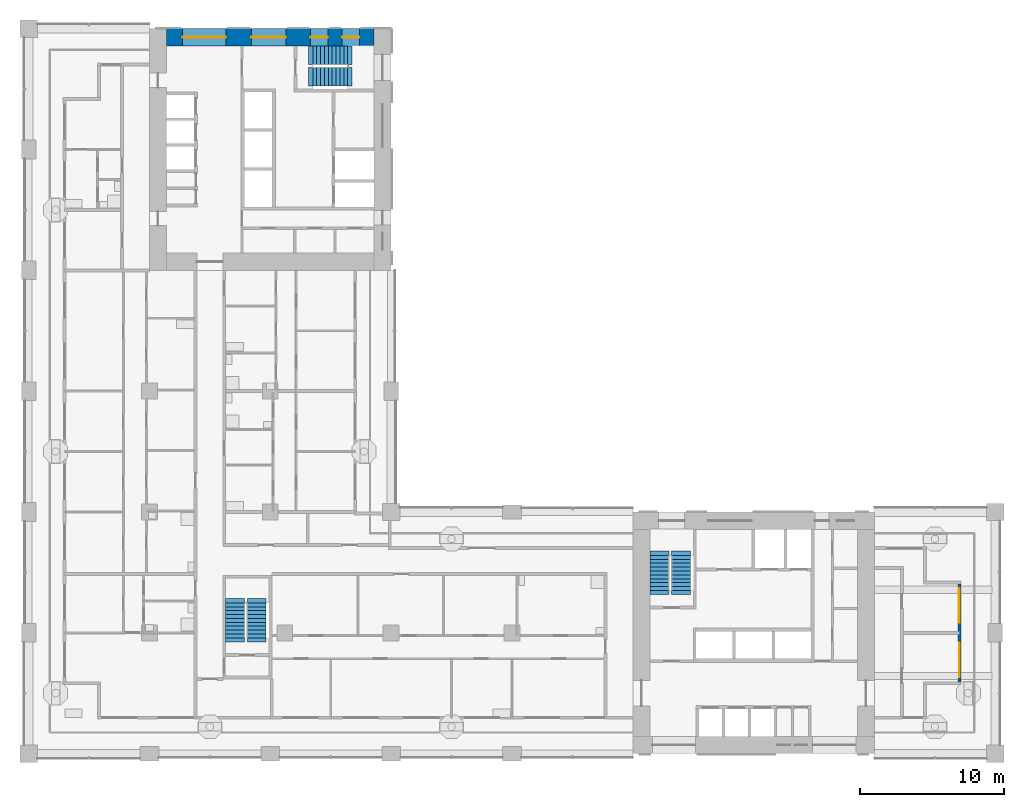
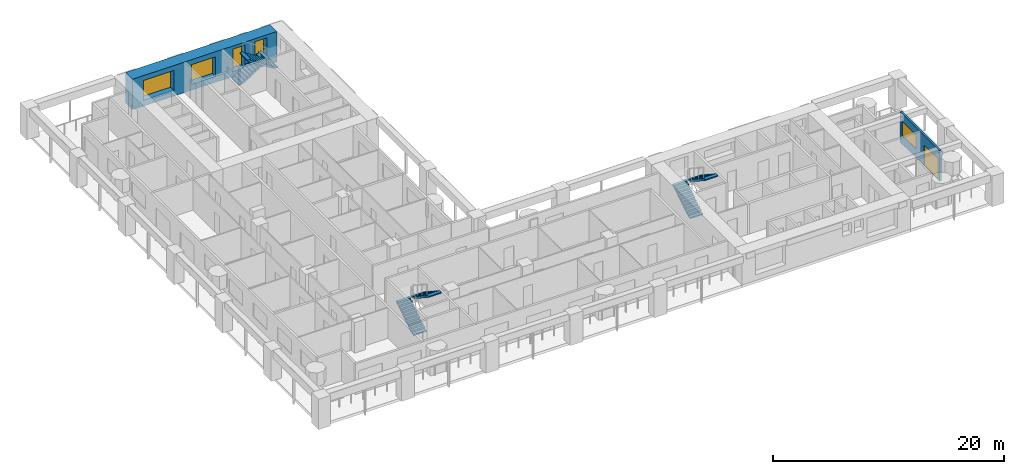
# One storey, part 8 of 18: 6 stair flights, 5 windows, 2 walls, 1 door, 6 openings, 3 elements without a shape of their own.
"""IFC4 building model written with IfcOpenShell, lengths in metres."""

from ifc_helpers import new_model, si_unit, direction, frame, frame_2d, origin, place, context, subcontext, project, spatial, polyline, rectangle, outline, extrude, material, layer, layer_set, type_object, element, fill, aggregate, save


model = new_model("IFC4")

# Units and contexts
model_context = context("Model", 3, precision=1e-05, world=origin(), true_north=direction((0.0, 1.0)))
body_context = subcontext(model_context, "Body", "Model", "MODEL_VIEW")
ifc_project = project(units=[si_unit("LENGTHUNIT", "METRE"), si_unit("AREAUNIT", "SQUARE_METRE"), si_unit("VOLUMEUNIT", "CUBIC_METRE"), si_unit("PLANEANGLEUNIT", "RADIAN"), si_unit("MASSUNIT", "GRAM", prefix="KILO")], contexts=[model_context])

# Site, building, storey
site_placement = place(None, origin())
site = spatial("IfcSite", under=ifc_project, at=site_placement, CompositionType="ELEMENT")
building_placement = place(site_placement, origin())
building = spatial("IfcBuilding", under=site, at=building_placement, Name="Vermilion Gate Residences", CompositionType="ELEMENT")
storey_placement = place(building_placement, frame((0.0, 0.0, 84.699951171875)))
storey = spatial("IfcBuildingStorey", under=building, at=storey_placement, Name="L20", CompositionType="ELEMENT", Elevation=84.699951171875)

# Wall, openings, door, window
ifc_material_1 = material(Name="Insulated steel stud wall with terracotta rainscreen", Category="masonry")
ifc_layer_1 = layer(ifc_material_1, 0.199951171875)
ifc_layer_set_1 = layer_set([ifc_layer_1], Name="EXTERNAL WALL 200 TERRACOTTA RAINSCREEN")
wall_type_1 = type_object("IfcWallType", Name="EXTERNAL WALL 200 TERRACOTTA RAINSCREEN", PredefinedType="SOLIDWALL", material=ifc_layer_set_1)
wall_1_placement = place(storey_placement, frame((64.699951171875, 13.39990234375, 0.0), z_axis=(0.0, 0.0, 1.0), x_axis=(0.0, 1.0, 0.0)))
wall_1 = element("IfcWall", 1, at=wall_1_placement, inside=storey, type_object=wall_type_1, Name="External wall", PredefinedType="SOLIDWALL", context=body_context, shape_type="SweptSolid", body=[
    extrude(rectangle(XDim=6.800048828125, YDim=0.199951171875, at=frame_2d((3.39990234375, 0.0))), origin(), (0.0, 0.0, 1.0), 3.219970703125),
])
opening_1_placement = place(wall_1_placement, frame((4.10009765625, 0.0, 0.89990234375)))
opening_1 = element("IfcOpeningElement", 2, at=opening_1_placement, cuts=wall_1, Name="Opening WE20022", PredefinedType="OPENING", context=body_context, shape_type="SweptSolid", body=[
    extrude(rectangle(XDim=2.39990234375, YDim=1.5, at=frame_2d((1.199951171875, 0.75))), frame((0.0, 0.10986328125, 0.0), z_axis=(0.0, -1.0, 0.0), x_axis=(1.0, 0.0, 0.0)), (0.0, 0.0, 1.0), 0.219970703125),
])
opening_2_placement = place(wall_1_placement, frame((0.300048828125, 0.0, 0.0)))
opening_2 = element("IfcOpeningElement", 3, at=opening_2_placement, cuts=wall_1, Name="Opening DE20028", PredefinedType="OPENING", context=body_context, shape_type="SweptSolid", body=[
    extrude(rectangle(XDim=2.39990234375, YDim=2.199951171875, at=frame_2d((1.199951171875, 1.10009765625))), frame((0.0, 0.10986328125, 0.0), z_axis=(0.0, -1.0, 0.0), x_axis=(1.0, 0.0, 0.0)), (0.0, 0.0, 1.0), 0.219970703125),
])
ifc_material_2 = material(Name="Aluminium and clear glass", Category="aluminium")
door_type = type_object("IfcDoorType", Name="SLIDING GLAZED DOOR 2400 X 2200", OperationType="DOUBLE_DOOR_SLIDING", PredefinedType="DOOR", material=ifc_material_2)
door_placement = place(opening_2_placement, origin())
door = element("IfcDoor", 4, at=door_placement, inside=storey, type_object=door_type, Name="Loggia sliding door", OperationType="DOUBLE_DOOR_SLIDING", OverallHeight=2.199951171875, OverallWidth=2.39990234375, PredefinedType="DOOR", context=body_context, shape_type="SweptSolid", body=[
    extrude(rectangle(XDim=2.39990234375, YDim=2.199951171875, at=frame_2d((1.199951171875, 1.10009765625))), frame((0.0, 0.02490234375, 0.0), z_axis=(0.0, -1.0, 0.0), x_axis=(1.0, 0.0, 0.0)), (0.0, 0.0, 1.0), 0.050048828125),
])
fill(opening_2, door)
ifc_material_3 = material(Name="Aluminium and clear glass", Category="aluminium")
window_type_1 = type_object("IfcWindowType", Name="WINDOW 2400 X 1500", PartitioningType="SINGLE_PANEL", PredefinedType="WINDOW", material=ifc_material_3)
window_1_placement = place(opening_1_placement, origin())
window_1 = element("IfcWindow", 5, at=window_1_placement, inside=storey, type_object=window_type_1, Name="Window", OverallHeight=1.5, OverallWidth=2.39990234375, PartitioningType="SINGLE_PANEL", PredefinedType="WINDOW", context=body_context, shape_type="SweptSolid", body=[
    extrude(rectangle(XDim=2.39990234375, YDim=1.5, at=frame_2d((1.199951171875, 0.75))), frame((0.0, 0.030029296875, 0.0), z_axis=(0.0, -1.0, 0.0), x_axis=(1.0, 0.0, 0.0)), (0.0, 0.0, 1.0), 0.06005859375),
])
fill(opening_1, window_1)

# Wall, openings, windows
ifc_material_4 = material(Name="Concrete C70 red-oxide pigmented", Category="concrete")
ifc_layer_2 = layer(ifc_material_4, 1.199951171875)
ifc_layer_set_2 = layer_set([ifc_layer_2], Name="RC CORE WALL 1200 C70 RED OXIDE")
wall_type_2 = type_object("IfcWallType", Name="RC CORE WALL 1200 C70 RED OXIDE", PredefinedType="SHEAR", material=ifc_layer_set_2)
wall_2_placement = place(storey_placement, frame((9.60009765625, 58.199951171875, 0.0), z_axis=(0.0, 0.0, 1.0), x_axis=(1.0, 0.0, 0.0)))
wall_2 = element("IfcWall", 6, at=wall_2_placement, inside=storey, type_object=wall_type_2, Name="Core wall B20-OUT-FR", PredefinedType="SHEAR", context=body_context, shape_type="SweptSolid", body=[
    extrude(rectangle(XDim=14.39990234375, YDim=1.199951171875, at=frame_2d((7.199951171875, 0.0))), origin(), (0.0, 0.0, 1.0), 3.219970703125),
])
opening_3_placement = place(wall_2_placement, frame((1.10498046875, 0.0, 0.60009765625)))
opening_3 = element("IfcOpeningElement", 7, at=opening_3_placement, cuts=wall_2, Name="Opening WKB2005", PredefinedType="OPENING", context=body_context, shape_type="SweptSolid", body=[
    extrude(rectangle(XDim=3.0, YDim=2.10009765625, at=frame_2d((1.5, 1.050048828125))), frame((0.0, 0.60986328125, 0.0), z_axis=(0.0, -1.0, 0.0), x_axis=(1.0, 0.0, 0.0)), (0.0, 0.0, 1.0), 1.219970703125),
])
opening_4_placement = place(wall_2_placement, frame((5.875, 0.0, 0.60009765625)))
opening_4 = element("IfcOpeningElement", 8, at=opening_4_placement, cuts=wall_2, Name="Opening WKB2006", PredefinedType="OPENING", context=body_context, shape_type="SweptSolid", body=[
    extrude(rectangle(XDim=2.39990234375, YDim=2.10009765625, at=frame_2d((1.199951171875, 1.050048828125))), frame((0.0, 0.60986328125, 0.0), z_axis=(0.0, -1.0, 0.0), x_axis=(1.0, 0.0, 0.0)), (0.0, 0.0, 1.0), 1.219970703125),
])
opening_5_placement = place(wall_2_placement, frame((9.993408203125, 0.0, 0.5)))
opening_5 = element("IfcOpeningElement", 9, at=opening_5_placement, cuts=wall_2, Name="Opening WKB2007", PredefinedType="OPENING", context=body_context, shape_type="SweptSolid", body=[
    extrude(rectangle(XDim=1.199951171875, YDim=2.39990234375, at=frame_2d((0.60009765625, 1.199951171875))), frame((0.0, 0.60986328125, 0.0), z_axis=(0.0, -1.0, 0.0), x_axis=(1.0, 0.0, 0.0)), (0.0, 0.0, 1.0), 1.219970703125),
])
opening_6_placement = place(wall_2_placement, frame((12.19677734375, 0.0, 0.5)))
opening_6 = element("IfcOpeningElement", 10, at=opening_6_placement, cuts=wall_2, Name="Opening WKB2008", PredefinedType="OPENING", context=body_context, shape_type="SweptSolid", body=[
    extrude(rectangle(XDim=1.199951171875, YDim=2.39990234375, at=frame_2d((0.60009765625, 1.199951171875))), frame((0.0, 0.60986328125, 0.0), z_axis=(0.0, -1.0, 0.0), x_axis=(1.0, 0.0, 0.0)), (0.0, 0.0, 1.0), 1.219970703125),
])
ifc_material_5 = material(Name="Aluminium and clear glass", Category="aluminium")
window_type_2 = type_object("IfcWindowType", Name="CORE LOBBY WINDOW 2400 X 2100", PartitioningType="SINGLE_PANEL", PredefinedType="WINDOW", material=ifc_material_5)
window_2_placement = place(opening_4_placement, origin())
window_2 = element("IfcWindow", 11, at=window_2_placement, inside=storey, type_object=window_type_2, Name="Core lobby window", OverallHeight=2.10009765625, OverallWidth=2.39990234375, PartitioningType="SINGLE_PANEL", PredefinedType="WINDOW", context=body_context, shape_type="SweptSolid", body=[
    extrude(rectangle(XDim=2.39990234375, YDim=2.10009765625, at=frame_2d((1.199951171875, 1.050048828125))), frame((0.0, 0.030029296875, 0.0), z_axis=(0.0, -1.0, 0.0), x_axis=(1.0, 0.0, 0.0)), (0.0, 0.0, 1.0), 0.06005859375),
])
fill(opening_4, window_2)
ifc_material_6 = material(Name="Aluminium and clear glass", Category="aluminium")
window_type_3 = type_object("IfcWindowType", Name="CORE LOBBY WINDOW 3000 X 2100", PartitioningType="SINGLE_PANEL", PredefinedType="WINDOW", material=ifc_material_6)
window_3_placement = place(opening_3_placement, origin())
window_3 = element("IfcWindow", 12, at=window_3_placement, inside=storey, type_object=window_type_3, Name="Core lobby window", OverallHeight=2.10009765625, OverallWidth=3.0, PartitioningType="SINGLE_PANEL", PredefinedType="WINDOW", context=body_context, shape_type="SweptSolid", body=[
    extrude(rectangle(XDim=3.0, YDim=2.10009765625, at=frame_2d((1.5, 1.050048828125))), frame((0.0, 0.030029296875, 0.0), z_axis=(0.0, -1.0, 0.0), x_axis=(1.0, 0.0, 0.0)), (0.0, 0.0, 1.0), 0.06005859375),
])
fill(opening_3, window_3)
ifc_material_7 = material(Name="Aluminium and clear glass", Category="aluminium")
window_type_4 = type_object("IfcWindowType", Name="CORE STAIR WINDOW 1200 X 2400", PartitioningType="SINGLE_PANEL", PredefinedType="WINDOW", material=ifc_material_7)
window_4_placement = place(opening_5_placement, origin())
window_4 = element("IfcWindow", 13, at=window_4_placement, inside=storey, type_object=window_type_4, Name="Core stair window", OverallHeight=2.39990234375, OverallWidth=1.199951171875, PartitioningType="SINGLE_PANEL", PredefinedType="WINDOW", context=body_context, shape_type="SweptSolid", body=[
    extrude(rectangle(XDim=1.199951171875, YDim=2.39990234375, at=frame_2d((0.60009765625, 1.199951171875))), frame((0.0, 0.030029296875, 0.0), z_axis=(0.0, -1.0, 0.0), x_axis=(1.0, 0.0, 0.0)), (0.0, 0.0, 1.0), 0.06005859375),
])
fill(opening_5, window_4)
window_5_placement = place(opening_6_placement, origin())
window_5 = element("IfcWindow", 14, at=window_5_placement, inside=storey, type_object=window_type_4, Name="Core stair window", OverallHeight=2.39990234375, OverallWidth=1.199951171875, PartitioningType="SINGLE_PANEL", PredefinedType="WINDOW", context=body_context, shape_type="SweptSolid", body=[
    extrude(rectangle(XDim=1.199951171875, YDim=2.39990234375, at=frame_2d((0.60009765625, 1.199951171875))), frame((0.0, 0.030029296875, 0.0), z_axis=(0.0, -1.0, 0.0), x_axis=(1.0, 0.0, 0.0)), (0.0, 0.0, 1.0), 0.06005859375),
])
fill(opening_6, window_5)

# Stair, stair flights
ifc_material_8 = material(Name="Concrete C50", Category="concrete")
stair_type = type_object("IfcStairType", Name="SPECIAL ESCAPE STAIR 1300", PredefinedType="HALF_TURN_STAIR", material=ifc_material_8)
stair_1_placement = place(storey_placement, origin())
stair_1 = element("IfcStair", 15, at=stair_1_placement, inside=storey, type_object=stair_type, Name="Special escape stair STA1-20", PredefinedType="HALF_TURN_STAIR")
ifc_material_9 = material(Name="Concrete C50", Category="concrete")
stair_flight_type = type_object("IfcStairFlightType", Name="STAIR FLIGHT 1300 RC C50", PredefinedType="STRAIGHT", material=ifc_material_9)
stair_flight_1_placement = place(storey_placement, frame((43.85009765625, 19.75, 0.0), z_axis=(0.0, 0.0, 1.0), x_axis=(0.0, 1.0, 0.0)))
stair_flight_1 = element("IfcStairFlight", 16, at=stair_flight_1_placement, type_object=stair_flight_type, Name="STA1-20 flight 1", NumberOfRisers=10, NumberOfTreads=9, PredefinedType="STRAIGHT", RiserHeight=0.175, TreadLength=0.27, context=body_context, shape_type="SweptSolid", body=[
    extrude(outline(polyline([(-0.300048828125, -0.14990234375), (-0.300048828125, -0.030029296875), (0.0, 0.0), (0.0, 0.175048828125), (0.27001953125, 0.175048828125), (0.27001953125, 0.35009765625), (0.5400390625, 0.35009765625), (0.5400390625, 0.52490234375), (0.81005859375, 0.52490234375), (0.81005859375, 0.699951171875), (1.080078125, 0.699951171875), (1.080078125, 0.875), (1.35009765625, 0.875), (1.35009765625, 1.050048828125), (1.6201171875, 1.050048828125), (1.6201171875, 1.22509765625), (1.889892578125, 1.22509765625), (1.889892578125, 1.39990234375), (2.159912109375, 1.39990234375), (2.159912109375, 1.574951171875), (2.429931640625, 1.574951171875), (2.429931640625, 1.75), (2.72998046875, 1.719970703125), (2.72998046875, 1.60009765625), (2.429931640625, 1.396484375), (0.275634765625, 0.0), (-0.300048828125, -0.14990234375)])), frame((0.0, 0.64990234375, 0.0), z_axis=(0.0, -1.0, 0.0), x_axis=(1.0, 0.0, 0.0)), (0.0, 0.0, 1.0), 1.300048828125),
])
stair_flight_2_placement = place(storey_placement, frame((45.35009765625, 22.179931640625, 1.75), z_axis=(0.0, 0.0, 1.0), x_axis=(0.0, -1.0, 0.0)))
stair_flight_2 = element("IfcStairFlight", 17, at=stair_flight_2_placement, type_object=stair_flight_type, Name="STA1-20 flight 2", NumberOfRisers=10, NumberOfTreads=9, PredefinedType="STRAIGHT", RiserHeight=0.175, TreadLength=0.27, context=body_context, shape_type="SweptSolid", body=[
    extrude(outline(polyline([(-0.300048828125, -0.14990234375), (-0.300048828125, -0.030029296875), (0.0, 0.0), (0.0, 0.175048828125), (0.27001953125, 0.175048828125), (0.27001953125, 0.35009765625), (0.5400390625, 0.35009765625), (0.5400390625, 0.52490234375), (0.81005859375, 0.52490234375), (0.81005859375, 0.699951171875), (1.080078125, 0.699951171875), (1.080078125, 0.875), (1.35009765625, 0.875), (1.35009765625, 1.050048828125), (1.6201171875, 1.050048828125), (1.6201171875, 1.22509765625), (1.889892578125, 1.22509765625), (1.889892578125, 1.39990234375), (2.159912109375, 1.39990234375), (2.159912109375, 1.574951171875), (2.429931640625, 1.574951171875), (2.429931640625, 1.75), (2.72998046875, 1.719970703125), (2.72998046875, 1.60009765625), (2.429931640625, 1.396484375), (0.275634765625, 0.0), (-0.300048828125, -0.14990234375)])), frame((0.0, 0.64990234375, 0.0), z_axis=(0.0, -1.0, 0.0), x_axis=(1.0, 0.0, 0.0)), (0.0, 0.0, 1.0), 1.300048828125),
])
aggregate(stair_1, [stair_flight_1, stair_flight_2])

stair_2_placement = place(storey_placement, origin())
stair_2 = element("IfcStair", 18, at=stair_2_placement, inside=storey, type_object=stair_type, Name="Special escape stair STB1-20", PredefinedType="HALF_TURN_STAIR")
stair_flight_3_placement = place(storey_placement, frame((19.75, 56.949951171875, 0.0), z_axis=(0.0, 0.0, 1.0), x_axis=(1.0, 0.0, 0.0)))
stair_flight_3 = element("IfcStairFlight", 19, at=stair_flight_3_placement, type_object=stair_flight_type, Name="STB1-20 flight 1", NumberOfRisers=10, NumberOfTreads=9, PredefinedType="STRAIGHT", RiserHeight=0.175, TreadLength=0.27, context=body_context, shape_type="SweptSolid", body=[
    extrude(outline(polyline([(-0.300048828125, -0.14990234375), (-0.300048828125, -0.030029296875), (0.0, 0.0), (0.0, 0.175048828125), (0.27001953125, 0.175048828125), (0.27001953125, 0.35009765625), (0.5400390625, 0.35009765625), (0.5400390625, 0.52490234375), (0.81005859375, 0.52490234375), (0.81005859375, 0.699951171875), (1.080078125, 0.699951171875), (1.080078125, 0.875), (1.35009765625, 0.875), (1.35009765625, 1.050048828125), (1.6201171875, 1.050048828125), (1.6201171875, 1.22509765625), (1.889892578125, 1.22509765625), (1.889892578125, 1.39990234375), (2.159912109375, 1.39990234375), (2.159912109375, 1.574951171875), (2.429931640625, 1.574951171875), (2.429931640625, 1.75), (2.72998046875, 1.719970703125), (2.72998046875, 1.60009765625), (2.429931640625, 1.396484375), (0.275634765625, 0.0), (-0.300048828125, -0.14990234375)])), frame((0.0, 0.64990234375, 0.0), z_axis=(0.0, -1.0, 0.0), x_axis=(1.0, 0.0, 0.0)), (0.0, 0.0, 1.0), 1.300048828125),
])
stair_flight_4_placement = place(storey_placement, frame((22.179931640625, 55.449951171875, 1.75), z_axis=(0.0, 0.0, 1.0), x_axis=(-1.0, 0.0, 0.0)))
stair_flight_4 = element("IfcStairFlight", 20, at=stair_flight_4_placement, type_object=stair_flight_type, Name="STB1-20 flight 2", NumberOfRisers=10, NumberOfTreads=9, PredefinedType="STRAIGHT", RiserHeight=0.175, TreadLength=0.27, context=body_context, shape_type="SweptSolid", body=[
    extrude(outline(polyline([(-0.300048828125, -0.14990234375), (-0.300048828125, -0.030029296875), (0.0, 0.0), (0.0, 0.175048828125), (0.27001953125, 0.175048828125), (0.27001953125, 0.35009765625), (0.5400390625, 0.35009765625), (0.5400390625, 0.52490234375), (0.81005859375, 0.52490234375), (0.81005859375, 0.699951171875), (1.080078125, 0.699951171875), (1.080078125, 0.875), (1.35009765625, 0.875), (1.35009765625, 1.050048828125), (1.6201171875, 1.050048828125), (1.6201171875, 1.22509765625), (1.889892578125, 1.22509765625), (1.889892578125, 1.39990234375), (2.159912109375, 1.39990234375), (2.159912109375, 1.574951171875), (2.429931640625, 1.574951171875), (2.429931640625, 1.75), (2.72998046875, 1.719970703125), (2.72998046875, 1.60009765625), (2.429931640625, 1.396484375), (0.275634765625, 0.0), (-0.300048828125, -0.14990234375)])), frame((0.0, 0.64990234375, 0.0), z_axis=(0.0, -1.0, 0.0), x_axis=(1.0, 0.0, 0.0)), (0.0, 0.0, 1.0), 1.300048828125),
])
aggregate(stair_2, [stair_flight_3, stair_flight_4])

stair_3_placement = place(storey_placement, origin())
stair_3 = element("IfcStair", 21, at=stair_3_placement, inside=storey, type_object=stair_type, Name="Special escape stair STC1-20", PredefinedType="HALF_TURN_STAIR")
stair_flight_5_placement = place(storey_placement, frame((14.35009765625, 16.449951171875, 0.0), z_axis=(0.0, 0.0, 1.0), x_axis=(0.0, 1.0, 0.0)))
stair_flight_5 = element("IfcStairFlight", 22, at=stair_flight_5_placement, type_object=stair_flight_type, Name="STC1-20 flight 1", NumberOfRisers=10, NumberOfTreads=9, PredefinedType="STRAIGHT", RiserHeight=0.175, TreadLength=0.27, context=body_context, shape_type="SweptSolid", body=[
    extrude(outline(polyline([(-0.300048828125, -0.14990234375), (-0.300048828125, -0.030029296875), (0.0, 0.0), (0.0, 0.175048828125), (0.27001953125, 0.175048828125), (0.27001953125, 0.35009765625), (0.5400390625, 0.35009765625), (0.5400390625, 0.52490234375), (0.81005859375, 0.52490234375), (0.81005859375, 0.699951171875), (1.080078125, 0.699951171875), (1.080078125, 0.875), (1.35009765625, 0.875), (1.35009765625, 1.050048828125), (1.6201171875, 1.050048828125), (1.6201171875, 1.22509765625), (1.889892578125, 1.22509765625), (1.889892578125, 1.39990234375), (2.159912109375, 1.39990234375), (2.159912109375, 1.574951171875), (2.429931640625, 1.574951171875), (2.429931640625, 1.75), (2.72998046875, 1.719970703125), (2.72998046875, 1.60009765625), (2.429931640625, 1.396484375), (0.275634765625, 0.0), (-0.300048828125, -0.14990234375)])), frame((0.0, 0.64990234375, 0.0), z_axis=(0.0, -1.0, 0.0), x_axis=(1.0, 0.0, 0.0)), (0.0, 0.0, 1.0), 1.300048828125),
])
stair_flight_6_placement = place(storey_placement, frame((15.85009765625, 18.8798828125, 1.75), z_axis=(0.0, 0.0, 1.0), x_axis=(0.0, -1.0, 0.0)))
stair_flight_6 = element("IfcStairFlight", 23, at=stair_flight_6_placement, type_object=stair_flight_type, Name="STC1-20 flight 2", NumberOfRisers=10, NumberOfTreads=9, PredefinedType="STRAIGHT", RiserHeight=0.175, TreadLength=0.27, context=body_context, shape_type="SweptSolid", body=[
    extrude(outline(polyline([(-0.300048828125, -0.14990234375), (-0.300048828125, -0.030029296875), (0.0, 0.0), (0.0, 0.175048828125), (0.27001953125, 0.175048828125), (0.27001953125, 0.35009765625), (0.5400390625, 0.35009765625), (0.5400390625, 0.52490234375), (0.81005859375, 0.52490234375), (0.81005859375, 0.699951171875), (1.080078125, 0.699951171875), (1.080078125, 0.875), (1.35009765625, 0.875), (1.35009765625, 1.050048828125), (1.6201171875, 1.050048828125), (1.6201171875, 1.22509765625), (1.889892578125, 1.22509765625), (1.889892578125, 1.39990234375), (2.159912109375, 1.39990234375), (2.159912109375, 1.574951171875), (2.429931640625, 1.574951171875), (2.429931640625, 1.75), (2.72998046875, 1.719970703125), (2.72998046875, 1.60009765625), (2.429931640625, 1.396484375), (0.275634765625, 0.0), (-0.300048828125, -0.14990234375)])), frame((0.0, 0.64990234375, 0.0), z_axis=(0.0, -1.0, 0.0), x_axis=(1.0, 0.0, 0.0)), (0.0, 0.0, 1.0), 1.300048828125),
])
aggregate(stair_3, [stair_flight_5, stair_flight_6])

save(model, "model.ifc")
